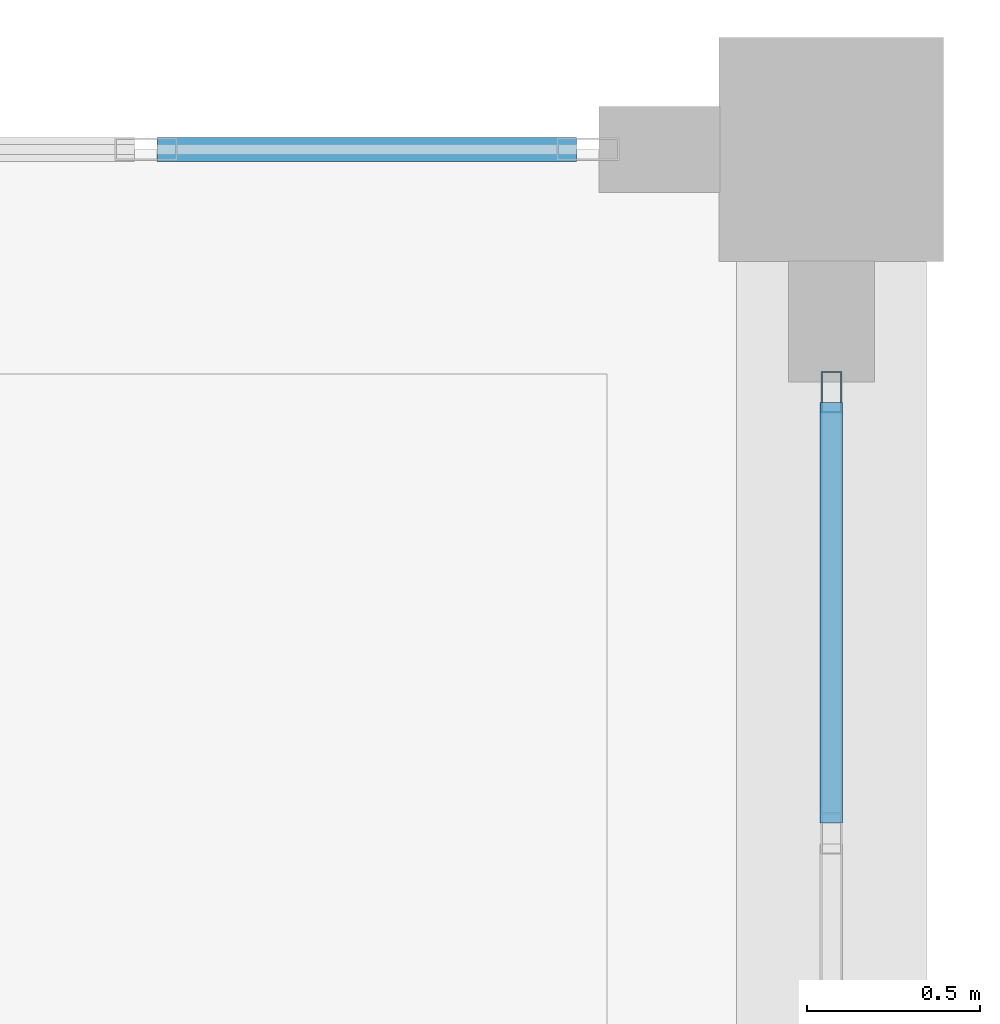
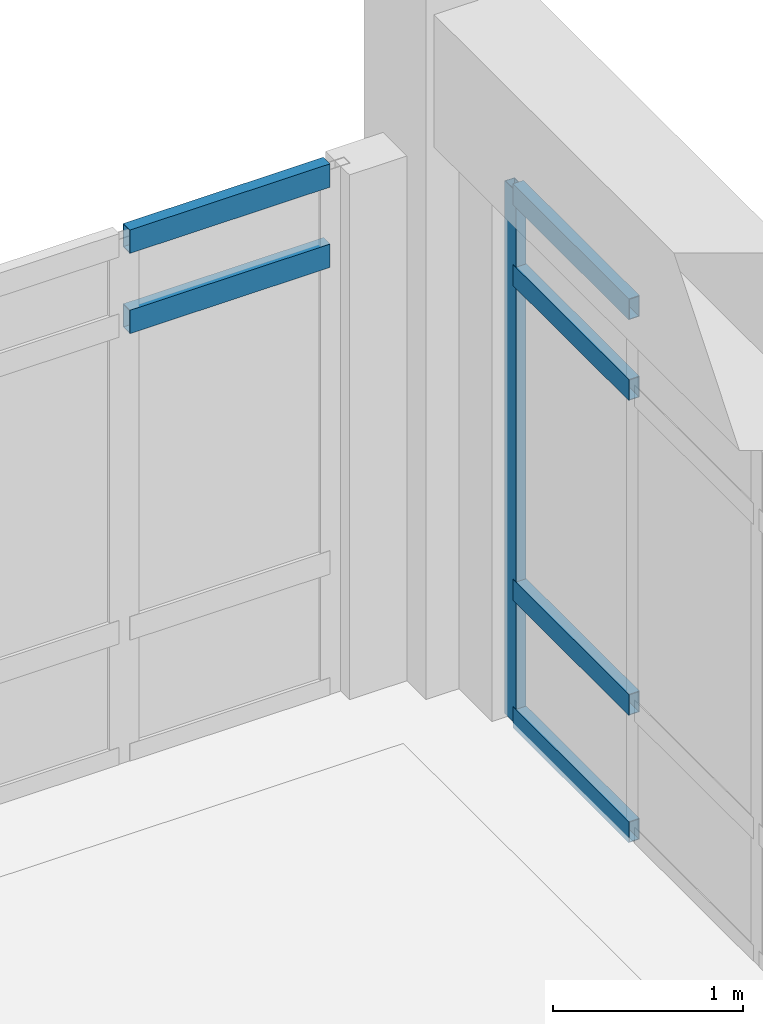
# One storey, part 68 of 109: 7 members, 2 elements without a shape of their own.
"""IFC4 building model written with IfcOpenShell, lengths in metres."""

from ifc_helpers import new_model, si_unit, direction, frame, origin, origin_2d, place, context, subcontext, project, spatial, hollow_rectangle, extrude, material, layer, layer_set, material_profile, profile_set, type_object, element, aggregate, save


model = new_model("IFC4")

# Units and contexts
model_context = context("Model", 3, precision=1e-05, world=origin(), true_north=direction((0.0, 1.0)))
body_context = subcontext(model_context, "Body", "Model", "MODEL_VIEW")
ifc_project = project(units=[si_unit("LENGTHUNIT", "METRE"), si_unit("AREAUNIT", "SQUARE_METRE"), si_unit("VOLUMEUNIT", "CUBIC_METRE"), si_unit("PLANEANGLEUNIT", "RADIAN"), si_unit("MASSUNIT", "GRAM", prefix="KILO")], contexts=[model_context])

# Site, building, storey
site_placement = place(None, origin())
site = spatial("IfcSite", under=ifc_project, at=site_placement, CompositionType="ELEMENT")
building_placement = place(site_placement, origin())
building = spatial("IfcBuilding", under=site, at=building_placement, Name="Fikremerkos Civic Library", CompositionType="ELEMENT")
storey_placement = place(building_placement, frame((0.0, 0.0, 5.39990234375)))
storey = spatial("IfcBuildingStorey", under=building, at=storey_placement, Name="L01", CompositionType="ELEMENT", Elevation=5.39990234375)

# Curtain wall, member
ifc_material = material(Name="Anodized aluminium Frame", Category="aluminium")
ifc_layer_1 = layer(ifc_material, 0.159912109375, Name="Anodized aluminium Frame")
ifc_layer_set_1 = layer_set([ifc_layer_1], Name="Anodized aluminium Frame")
curtain_wall_type_1 = type_object("IfcCurtainWallType", Name="Unitised curtain wall CW-04 3400x3600", PredefinedType="USERDEFINED", material=ifc_layer_set_1)
curtain_wall_1_placement = place(storey_placement, origin())
curtain_wall_1 = element("IfcCurtainWall", 1, at=curtain_wall_1_placement, inside=storey, type_object=curtain_wall_type_1, Name="Unitised curtain wall CW-04 L01 #112", ObjectType="UNITISED CURTAIN WALL", PredefinedType="USERDEFINED")
ifc_material_profile_1 = material_profile(ifc_material, hollow_rectangle(XDim=0.06005859375, YDim=0.1201171875, WallThickness=0.00390625, at=origin_2d()), Name="ALU 120x60x4")
ifc_profile_set_1 = profile_set([ifc_material_profile_1], Name="Anodized aluminium Frame")
member_type_1 = type_object("IfcMemberType", Name="Curtain mullion CWM-04 ALU 120x60x4", PredefinedType="MULLION", material=ifc_profile_set_1)
member_1_placement = place(storey_placement, frame((134.39990234375, 116.89697265625, 0.0), z_axis=(0.0, 0.0, 1.0), x_axis=(1.0, 0.0, 0.0)))
member_1 = element("IfcMember", 2, at=member_1_placement, type_object=member_type_1, Name="CW-04 mullion 1", PredefinedType="MULLION", context=body_context, shape_type="SweptSolid", body=[
    extrude(hollow_rectangle(XDim=0.06005859375, YDim=0.1201171875, WallThickness=0.00390625, at=origin_2d()), origin(), (0.0, 0.0, 1.0), 3.420166015625),
])

# Curtain wall, members
ifc_layer_2 = layer(ifc_material, 0.159912109375, Name="Anodized aluminium Frame")
ifc_layer_set_2 = layer_set([ifc_layer_2], Name="Anodized aluminium Frame")
curtain_wall_type_2 = type_object("IfcCurtainWallType", Name="Unitised curtain wall CW-17 4600x3600", PredefinedType="USERDEFINED", material=ifc_layer_set_2)
curtain_wall_2_placement = place(storey_placement, origin())
curtain_wall_2 = element("IfcCurtainWall", 3, at=curtain_wall_2_placement, inside=storey, type_object=curtain_wall_type_2, Name="Unitised curtain wall CW-17 L01 #143", ObjectType="UNITISED CURTAIN WALL", PredefinedType="USERDEFINED")
ifc_material_profile_2 = material_profile(ifc_material, hollow_rectangle(XDim=0.070068359375, YDim=0.14990234375, WallThickness=0.00439453125, at=origin_2d()), Name="ALU 150x70x4.5")
ifc_profile_set_2 = profile_set([ifc_material_profile_2], Name="Anodized aluminium Frame")
member_type_2 = type_object("IfcMemberType", Name="Curtain transom CWT-01 ALU 150x70x4.5", PredefinedType="USERDEFINED", material=ifc_profile_set_2)
member_2_placement = place(storey_placement, frame((132.4462890625, 117.60009765625, 2.8173828125), z_axis=(1.0, 0.0, 0.0), x_axis=(0.0, 1.0, 0.0)))
member_2 = element("IfcMember", 4, at=member_2_placement, type_object=member_type_2, Name="CW-17 transom 3.3", ObjectType="TRANSOM", PredefinedType="USERDEFINED", context=body_context, shape_type="SweptSolid", body=[
    extrude(hollow_rectangle(XDim=0.070068359375, YDim=0.14990234375, WallThickness=0.00439453125, at=origin_2d()), origin(), (0.0, 0.0, 1.0), 1.2158203125),
])
member_3_placement = place(storey_placement, frame((132.4462890625, 117.60009765625, 3.332275390625), z_axis=(1.0, 0.0, 0.0), x_axis=(0.0, 1.0, 0.0)))
member_3 = element("IfcMember", 5, at=member_3_placement, type_object=member_type_2, Name="CW-17 transom 3.4", ObjectType="TRANSOM", PredefinedType="USERDEFINED", context=body_context, shape_type="SweptSolid", body=[
    extrude(hollow_rectangle(XDim=0.070068359375, YDim=0.14990234375, WallThickness=0.00439453125, at=origin_2d()), origin(), (0.0, 0.0, 1.0), 1.2158203125),
])
aggregate(curtain_wall_2, [member_2, member_3])

# Member
ifc_material_profile_3 = material_profile(ifc_material, hollow_rectangle(XDim=0.06494140625, YDim=0.135009765625, WallThickness=0.00439453125, at=origin_2d()), Name="ALU 135x65x4.5")
ifc_profile_set_3 = profile_set([ifc_material_profile_3], Name="Anodized aluminium Frame")
member_type_3 = type_object("IfcMemberType", Name="Curtain transom CWT-02 ALU 135x65x4.5", PredefinedType="USERDEFINED", material=ifc_profile_set_3)
member_4_placement = place(storey_placement, frame((134.39990234375, 116.866943359375, 0.03271484375), z_axis=(0.0, -1.0, 0.0), x_axis=(1.0, 0.0, 0.0)))
member_4 = element("IfcMember", 6, at=member_4_placement, type_object=member_type_3, Name="CW-04 transom 1.1", ObjectType="TRANSOM", PredefinedType="USERDEFINED", context=body_context, shape_type="SweptSolid", body=[
    extrude(hollow_rectangle(XDim=0.06494140625, YDim=0.135009765625, WallThickness=0.00439453125, at=origin_2d()), origin(), (0.0, 0.0, 1.0), 1.218505859375),
])

member_5_placement = place(storey_placement, frame((134.39990234375, 116.866943359375, 0.85009765625), z_axis=(0.0, -1.0, 0.0), x_axis=(1.0, 0.0, 0.0)))
member_5 = element("IfcMember", 7, at=member_5_placement, type_object=member_type_3, Name="CW-04 transom 1.2", ObjectType="TRANSOM", PredefinedType="USERDEFINED", context=body_context, shape_type="SweptSolid", body=[
    extrude(hollow_rectangle(XDim=0.06494140625, YDim=0.135009765625, WallThickness=0.00439453125, at=origin_2d()), origin(), (0.0, 0.0, 1.0), 1.218505859375),
])

member_6_placement = place(storey_placement, frame((134.39990234375, 116.866943359375, 2.8701171875), z_axis=(0.0, -1.0, 0.0), x_axis=(1.0, 0.0, 0.0)))
member_6 = element("IfcMember", 8, at=member_6_placement, type_object=member_type_3, Name="CW-04 transom 1.3", ObjectType="TRANSOM", PredefinedType="USERDEFINED", context=body_context, shape_type="SweptSolid", body=[
    extrude(hollow_rectangle(XDim=0.06494140625, YDim=0.135009765625, WallThickness=0.00439453125, at=origin_2d()), origin(), (0.0, 0.0, 1.0), 1.218505859375),
])

member_7_placement = place(storey_placement, frame((134.39990234375, 116.866943359375, 3.3876953125), z_axis=(0.0, -1.0, 0.0), x_axis=(1.0, 0.0, 0.0)))
member_7 = element("IfcMember", 9, at=member_7_placement, type_object=member_type_3, Name="CW-04 transom 1.4", ObjectType="TRANSOM", PredefinedType="USERDEFINED", context=body_context, shape_type="SweptSolid", body=[
    extrude(hollow_rectangle(XDim=0.06494140625, YDim=0.135009765625, WallThickness=0.00439453125, at=origin_2d()), origin(), (0.0, 0.0, 1.0), 1.218505859375),
])

aggregate(curtain_wall_1, [member_1, member_4, member_5, member_6, member_7])

save(model, "model.ifc")
